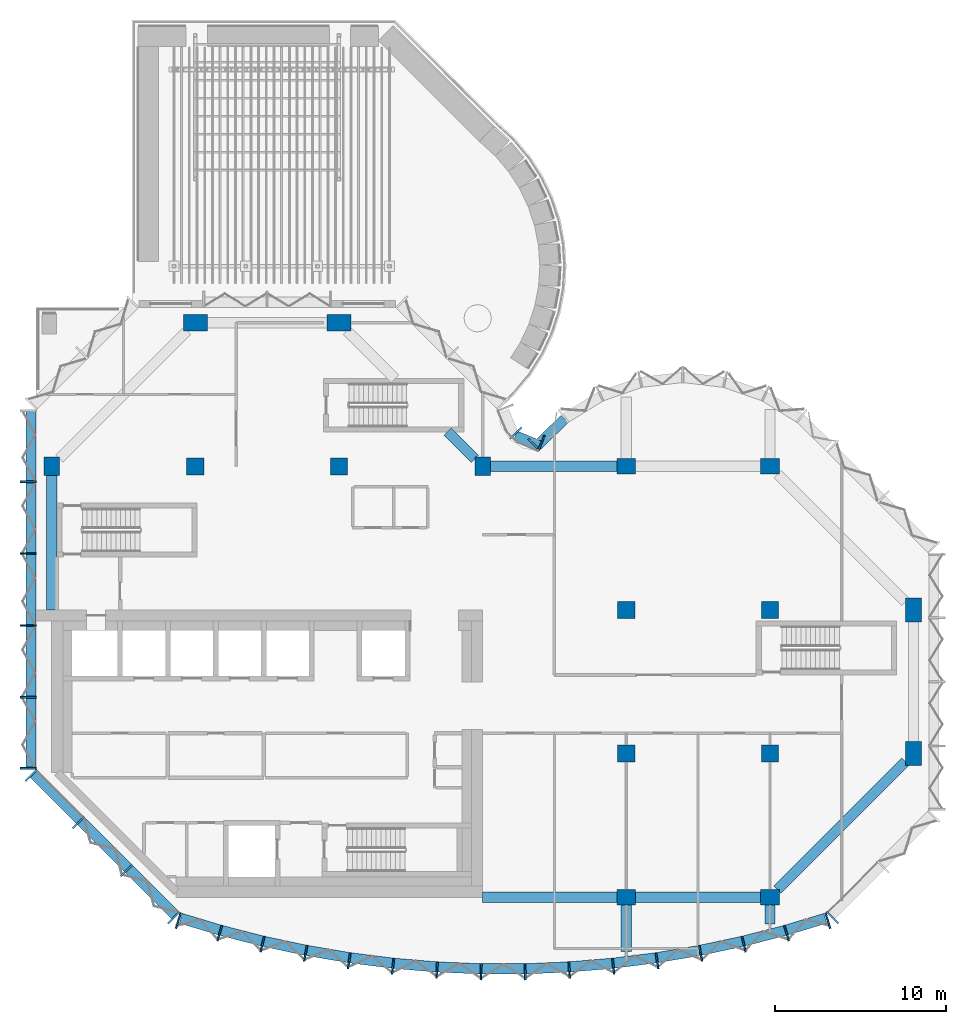
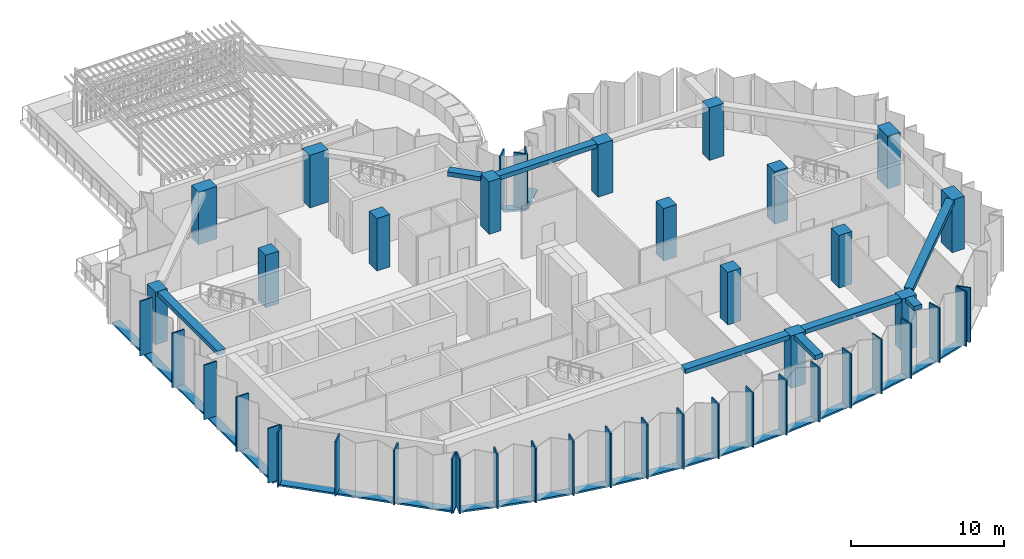
# One storey, part 1 of 15: 48 members, 16 columns, 8 beams, 6 elements without a shape of their own.
"""IFC4 building model written with IfcOpenShell, lengths in metres."""

from ifc_helpers import new_model, si_unit, direction, frame, origin, origin_2d, place, context, subcontext, project, spatial, rectangle, extrude, material, material_profile, profile_set, type_object, element, aggregate, save


model = new_model("IFC4")

# Units and contexts
model_context = context("Model", 3, precision=1e-05, world=origin(), true_north=direction((0.0, 1.0)))
body_context = subcontext(model_context, "Body", "Model", "MODEL_VIEW")
ifc_project = project(units=[si_unit("LENGTHUNIT", "METRE"), si_unit("AREAUNIT", "SQUARE_METRE"), si_unit("VOLUMEUNIT", "CUBIC_METRE"), si_unit("PLANEANGLEUNIT", "RADIAN"), si_unit("MASSUNIT", "GRAM", prefix="KILO")], contexts=[model_context])

# Site, building, storey
site_placement = place(None, origin())
site = spatial("IfcSite", under=ifc_project, at=site_placement, CompositionType="ELEMENT")
building_placement = place(site_placement, origin())
building = spatial("IfcBuilding", under=site, at=building_placement, Name="Brevane Broadcast Tower", CompositionType="ELEMENT")
storey_placement = place(building_placement, frame((0.0, 0.0, 206.39990234375)))
storey = spatial("IfcBuildingStorey", under=building, at=storey_placement, Name="L52", CompositionType="ELEMENT", Elevation=206.39990234375)

# Columns
ifc_material_1 = material(Name="Concrete C60/75", Category="concrete")
ifc_material_profile_1 = material_profile(ifc_material_1, rectangle(XDim=0.89990234375, YDim=1.10009765625, at=origin_2d()), Name="RC 900x1100")
ifc_profile_set_1 = profile_set([ifc_material_profile_1], Name="Concrete C60/75")
column_type_1 = type_object("IfcColumnType", Name="RC COLUMN EDGE 900x1100 C60/75", PredefinedType="COLUMN", material=ifc_profile_set_1)
for number, where, z_axis, x_axis, name in (
    (1, (0.0, 25.199951171875, 0.0), (0.0, 0.0, 1.0), (1.0, 0.0, 0.0), "CE11 1/D"),
    (2, (25.199951171875, 25.199951171875, 0.0), (0.0, 0.0, 1.0), (1.0, 0.0, 0.0), "CE11 4/D"),
    (3, (33.60009765625, 0.0, 0.0), (0.0, 0.0, 1.0), (0.0, 1.0, 0.0), "CE11 5/A"),
    (4, (33.60009765625, 25.199951171875, 0.0), (0.0, 0.0, 1.0), (0.0, 1.0, 0.0), "CE11 5/D"),
    (5, (42.0, 0.0, 0.0), (0.0, 0.0, 1.0), (0.0, 1.0, 0.0), "CE11 6/A"),
    (6, (42.0, 25.199951171875, 0.0), (0.0, 0.0, 1.0), (0.0, 1.0, 0.0), "CE11 6/D"),
):
    element("IfcColumn", number, at=place(storey_placement, frame(where, z_axis=z_axis, x_axis=x_axis)), inside=storey, type_object=column_type_1, Name=name, PredefinedType="COLUMN", context=body_context, shape_type="SweptSolid", body=[
        extrude(rectangle(XDim=0.89990234375, YDim=1.10009765625, at=origin_2d()), origin(), (0.0, 0.0, 1.0), 4.2001953125),
    ])
ifc_material_profile_2 = material_profile(ifc_material_1, rectangle(XDim=1.0, YDim=1.0, at=origin_2d()), Name="RC 1000x1000")
ifc_profile_set_2 = profile_set([ifc_material_profile_2], Name="Concrete C60/75")
column_type_2 = type_object("IfcColumnType", Name="RC COLUMN INTERIOR 1000x1000 C60/75", PredefinedType="COLUMN", material=ifc_profile_set_2)
for number, where, z_axis, x_axis, name in (
    (7, (8.39990234375, 25.199951171875, 0.0), (0.0, 0.0, 1.0), (1.0, 0.0, 0.0), "CI12 2/D"),
    (8, (16.800048828125, 25.199951171875, 0.0), (0.0, 0.0, 1.0), (1.0, 0.0, 0.0), "CI12 3/D"),
    (9, (33.60009765625, 8.39990234375, 0.0), (0.0, 0.0, 1.0), (1.0, 0.0, 0.0), "CI12 5/B"),
    (10, (33.60009765625, 16.800048828125, 0.0), (0.0, 0.0, 1.0), (1.0, 0.0, 0.0), "CI12 5/C"),
    (11, (42.0, 8.39990234375, 0.0), (0.0, 0.0, 1.0), (1.0, 0.0, 0.0), "CI12 6/B"),
    (12, (42.0, 16.800048828125, 0.0), (0.0, 0.0, 1.0), (1.0, 0.0, 0.0), "CI12 6/C"),
):
    element("IfcColumn", number, at=place(storey_placement, frame(where, z_axis=z_axis, x_axis=x_axis)), inside=storey, type_object=column_type_2, Name=name, PredefinedType="COLUMN", context=body_context, shape_type="SweptSolid", body=[
        extrude(rectangle(XDim=1.0, YDim=1.0, at=origin_2d()), origin(), (0.0, 0.0, 1.0), 4.2001953125),
    ])
ifc_material_profile_3 = material_profile(ifc_material_1, rectangle(XDim=0.949951171875, YDim=1.39990234375, at=origin_2d()), Name="RC 950x1400")
ifc_profile_set_3 = profile_set([ifc_material_profile_3], Name="Concrete C60/75")
column_type_3 = type_object("IfcColumnType", Name="RC COLUMN WING-END 950x1400 C60/75", PredefinedType="COLUMN", material=ifc_profile_set_3)
for number, where, z_axis, x_axis, name in (
    (13, (8.39990234375, 33.60009765625, 0.0), (0.0, 0.0, 1.0), (0.0, 1.0, 0.0), "CW13 2/E"),
    (14, (16.800048828125, 33.60009765625, 0.0), (0.0, 0.0, 1.0), (0.0, 1.0, 0.0), "CW13 3/E"),
    (15, (50.39990234375, 8.39990234375, 0.0), (0.0, 0.0, 1.0), (1.0, 0.0, 0.0), "CW13 7/B"),
    (16, (50.39990234375, 16.800048828125, 0.0), (0.0, 0.0, 1.0), (1.0, 0.0, 0.0), "CW13 7/C"),
):
    element("IfcColumn", number, at=place(storey_placement, frame(where, z_axis=z_axis, x_axis=x_axis)), inside=storey, type_object=column_type_3, Name=name, PredefinedType="COLUMN", context=body_context, shape_type="SweptSolid", body=[
        extrude(rectangle(XDim=0.949951171875, YDim=1.39990234375, at=origin_2d()), origin(), (0.0, 0.0, 1.0), 4.2001953125),
    ])

# Curtain wall, members
ifc_material_2 = material(Name="Aluminium 6063-T6 bronze anodised", Category="aluminium")
curtain_wall_type = type_object("IfcCurtainWallType", Name="CW-4 curtain wall", PredefinedType="NOTDEFINED", material=ifc_material_2)
curtain_wall_1_placement = place(storey_placement, origin())
curtain_wall_1 = element("IfcCurtainWall", 17, at=curtain_wall_1_placement, inside=storey, type_object=curtain_wall_type, Name="CW-4 sky lobby unit L52 south bow", PredefinedType="NOTDEFINED")
ifc_material_profile_4 = material_profile(ifc_material_2, rectangle(XDim=0.949951171875, YDim=0.10009765625, at=origin_2d()), Name="RECT 100x950")
ifc_profile_set_4 = profile_set([ifc_material_profile_4], Name="Aluminium 6063-T6 bronze anodised")
member_type_1 = type_object("IfcMemberType", Name="CW-4 mullion 100x950", PredefinedType="MULLION", material=ifc_profile_set_4)
member_1_placement = place(storey_placement, frame((7.41064453125, -1.369140625, -0.159912109375), z_axis=(0.0, 0.0, 1.0), x_axis=(0.288968122518, 0.957338719664, 0.0)))
member_1 = element("IfcMember", 18, at=member_1_placement, type_object=member_type_1, Name="CW-4 mullion", PredefinedType="MULLION", context=body_context, shape_type="SweptSolid", body=[
    extrude(rectangle(XDim=0.949951171875, YDim=0.10009765625, at=origin_2d()), origin(), (0.0, 0.0, 1.0), 4.360107421875),
])
member_2_placement = place(storey_placement, frame((9.824951171875, -2.097900390625, -0.159912109375), z_axis=(0.0, 0.0, 1.0), x_axis=(0.268915519935, 0.963163767559, 0.0)))
member_2 = element("IfcMember", 19, at=member_2_placement, type_object=member_type_1, Name="CW-4 mullion", PredefinedType="MULLION", context=body_context, shape_type="SweptSolid", body=[
    extrude(rectangle(XDim=0.949951171875, YDim=0.10009765625, at=origin_2d()), origin(), (0.0, 0.0, 1.0), 4.360107421875),
])
member_3_placement = place(storey_placement, frame((12.325439453125, -2.739990234375, -0.159912109375), z_axis=(0.0, 0.0, 1.0), x_axis=(0.228467410001, 0.97355156133, 0.0)))
member_3 = element("IfcMember", 20, at=member_3_placement, type_object=member_type_1, Name="CW-4 mullion", PredefinedType="MULLION", context=body_context, shape_type="SweptSolid", body=[
    extrude(rectangle(XDim=0.949951171875, YDim=0.10009765625, at=origin_2d()), origin(), (0.0, 0.0, 1.0), 4.360107421875),
])
member_4_placement = place(storey_placement, frame((14.8505859375, -3.277099609375, -0.159912109375), z_axis=(0.0, 0.0, 1.0), x_axis=(0.187620976959, 0.982241502384, 0.0)))
member_4 = element("IfcMember", 21, at=member_4_placement, type_object=member_type_1, Name="CW-4 mullion", PredefinedType="MULLION", context=body_context, shape_type="SweptSolid", body=[
    extrude(rectangle(XDim=0.949951171875, YDim=0.10009765625, at=origin_2d()), origin(), (0.0, 0.0, 1.0), 4.360107421875),
])
member_5_placement = place(storey_placement, frame((17.395751953125, -3.70849609375, -0.159912109375), z_axis=(0.0, 0.0, 1.0), x_axis=(0.146447392256, 0.989218459847, 0.0)))
member_5 = element("IfcMember", 22, at=member_5_placement, type_object=member_type_1, Name="CW-4 mullion", PredefinedType="MULLION", context=body_context, shape_type="SweptSolid", body=[
    extrude(rectangle(XDim=0.949951171875, YDim=0.10009765625, at=origin_2d()), origin(), (0.0, 0.0, 1.0), 4.360107421875),
])
member_6_placement = place(storey_placement, frame((19.95703125, -4.033203125, -0.159912109375), z_axis=(0.0, 0.0, 1.0), x_axis=(0.105018395305, 0.994470279419, 0.0)))
member_6 = element("IfcMember", 23, at=member_6_placement, type_object=member_type_1, Name="CW-4 mullion", PredefinedType="MULLION", context=body_context, shape_type="SweptSolid", body=[
    extrude(rectangle(XDim=0.949951171875, YDim=0.10009765625, at=origin_2d()), origin(), (0.0, 0.0, 1.0), 4.360107421875),
])
member_7_placement = place(storey_placement, frame((22.529296875, -4.250732421875, -0.159912109375), z_axis=(0.0, 0.0, 1.0), x_axis=(0.063406169479, 0.99798780437, 0.0)))
member_7 = element("IfcMember", 24, at=member_7_placement, type_object=member_type_1, Name="CW-4 mullion", PredefinedType="MULLION", context=body_context, shape_type="SweptSolid", body=[
    extrude(rectangle(XDim=0.949951171875, YDim=0.10009765625, at=origin_2d()), origin(), (0.0, 0.0, 1.0), 4.360107421875),
])
member_8_placement = place(storey_placement, frame((25.10888671875, -4.360595703125, -0.159912109375), z_axis=(0.0, 0.0, 1.0), x_axis=(0.021281828243, 0.999773516246, 0.0)))
member_8 = element("IfcMember", 25, at=member_8_placement, type_object=member_type_1, Name="CW-4 mullion", PredefinedType="MULLION", context=body_context, shape_type="SweptSolid", body=[
    extrude(rectangle(XDim=0.949951171875, YDim=0.10009765625, at=origin_2d()), origin(), (0.0, 0.0, 1.0), 4.360107421875),
])
member_9_placement = place(storey_placement, frame((27.691162109375, -4.360595703125, -0.159912109375), z_axis=(0.0, 0.0, 1.0), x_axis=(-0.021281828243, 0.999773516246, 0.0)))
member_9 = element("IfcMember", 26, at=member_9_placement, type_object=member_type_1, Name="CW-4 mullion", PredefinedType="MULLION", context=body_context, shape_type="SweptSolid", body=[
    extrude(rectangle(XDim=0.949951171875, YDim=0.10009765625, at=origin_2d()), origin(), (0.0, 0.0, 1.0), 4.360107421875),
])
member_10_placement = place(storey_placement, frame((30.2705078125, -4.250732421875, -0.159912109375), z_axis=(0.0, 0.0, 1.0), x_axis=(-0.063406169479, 0.99798780437, 0.0)))
member_10 = element("IfcMember", 27, at=member_10_placement, type_object=member_type_1, Name="CW-4 mullion", PredefinedType="MULLION", context=body_context, shape_type="SweptSolid", body=[
    extrude(rectangle(XDim=0.949951171875, YDim=0.10009765625, at=origin_2d()), origin(), (0.0, 0.0, 1.0), 4.360107421875),
])
member_11_placement = place(storey_placement, frame((32.843017578125, -4.033203125, -0.159912109375), z_axis=(0.0, 0.0, 1.0), x_axis=(-0.105018395305, 0.994470279419, 0.0)))
member_11 = element("IfcMember", 28, at=member_11_placement, type_object=member_type_1, Name="CW-4 mullion", PredefinedType="MULLION", context=body_context, shape_type="SweptSolid", body=[
    extrude(rectangle(XDim=0.949951171875, YDim=0.10009765625, at=origin_2d()), origin(), (0.0, 0.0, 1.0), 4.360107421875),
])
member_12_placement = place(storey_placement, frame((35.404296875, -3.70849609375, -0.159912109375), z_axis=(0.0, 0.0, 1.0), x_axis=(-0.146447392256, 0.989218459847, 0.0)))
member_12 = element("IfcMember", 29, at=member_12_placement, type_object=member_type_1, Name="CW-4 mullion", PredefinedType="MULLION", context=body_context, shape_type="SweptSolid", body=[
    extrude(rectangle(XDim=0.949951171875, YDim=0.10009765625, at=origin_2d()), origin(), (0.0, 0.0, 1.0), 4.360107421875),
])
member_13_placement = place(storey_placement, frame((37.949462890625, -3.277099609375, -0.159912109375), z_axis=(0.0, 0.0, 1.0), x_axis=(-0.187620976959, 0.982241502384, 0.0)))
member_13 = element("IfcMember", 30, at=member_13_placement, type_object=member_type_1, Name="CW-4 mullion", PredefinedType="MULLION", context=body_context, shape_type="SweptSolid", body=[
    extrude(rectangle(XDim=0.949951171875, YDim=0.10009765625, at=origin_2d()), origin(), (0.0, 0.0, 1.0), 4.360107421875),
])
member_14_placement = place(storey_placement, frame((40.474609375, -2.739990234375, -0.159912109375), z_axis=(0.0, 0.0, 1.0), x_axis=(-0.228467410001, 0.97355156133, 0.0)))
member_14 = element("IfcMember", 31, at=member_14_placement, type_object=member_type_1, Name="CW-4 mullion", PredefinedType="MULLION", context=body_context, shape_type="SweptSolid", body=[
    extrude(rectangle(XDim=0.949951171875, YDim=0.10009765625, at=origin_2d()), origin(), (0.0, 0.0, 1.0), 4.360107421875),
])
member_15_placement = place(storey_placement, frame((42.97509765625, -2.097900390625, -0.159912109375), z_axis=(0.0, 0.0, 1.0), x_axis=(-0.268915519935, 0.963163767559, 0.0)))
member_15 = element("IfcMember", 32, at=member_15_placement, type_object=member_type_1, Name="CW-4 mullion", PredefinedType="MULLION", context=body_context, shape_type="SweptSolid", body=[
    extrude(rectangle(XDim=0.949951171875, YDim=0.10009765625, at=origin_2d()), origin(), (0.0, 0.0, 1.0), 4.360107421875),
])
member_16_placement = place(storey_placement, frame((45.389404296875, -1.369140625, -0.159912109375), z_axis=(0.0, 0.0, 1.0), x_axis=(-0.288968122518, 0.957338719664, 0.0)))
member_16 = element("IfcMember", 33, at=member_16_placement, type_object=member_type_1, Name="CW-4 mullion", PredefinedType="MULLION", context=body_context, shape_type="SweptSolid", body=[
    extrude(rectangle(XDim=0.949951171875, YDim=0.10009765625, at=origin_2d()), origin(), (0.0, 0.0, 1.0), 4.360107421875),
])

# Curtain wall, member
curtain_wall_2_placement = place(storey_placement, origin())
curtain_wall_2 = element("IfcCurtainWall", 34, at=curtain_wall_2_placement, inside=storey, type_object=curtain_wall_type, Name="CW-4 sky lobby unit L52 south-east chamfer", PredefinedType="NOTDEFINED")
member_17_placement = place(storey_placement, frame((45.671142578125, -1.200439453125, -0.159912109375), z_axis=(0.0, 0.0, 1.0), x_axis=(-0.707106781187, 0.707106781187, 0.0)))
member_17 = element("IfcMember", 35, at=member_17_placement, type_object=member_type_1, Name="CW-4 mullion", PredefinedType="MULLION", context=body_context, shape_type="SweptSolid", body=[
    extrude(rectangle(XDim=0.949951171875, YDim=0.10009765625, at=origin_2d()), origin(), (0.0, 0.0, 1.0), 4.360107421875),
])
aggregate(curtain_wall_2, [member_17])

curtain_wall_3_placement = place(storey_placement, origin())
curtain_wall_3 = element("IfcCurtainWall", 36, at=curtain_wall_3_placement, inside=storey, type_object=curtain_wall_type, Name="CW-4 sky lobby unit L52 east bow", PredefinedType="NOTDEFINED")
member_18_placement = place(storey_placement, frame((28.204833984375, 26.4755859375, -0.159912109375), z_axis=(0.0, 0.0, 1.0), x_axis=(0.696812089895, -0.717253728729, 0.0)))
member_18 = element("IfcMember", 37, at=member_18_placement, type_object=member_type_1, Name="CW-4 mullion", PredefinedType="MULLION", context=body_context, shape_type="SweptSolid", body=[
    extrude(rectangle(XDim=0.949951171875, YDim=0.10009765625, at=origin_2d()), origin(), (0.0, 0.0, 1.0), 4.360107421875),
])

# Curtain wall, members
curtain_wall_4_placement = place(storey_placement, origin())
curtain_wall_4 = element("IfcCurtainWall", 38, at=curtain_wall_4_placement, inside=storey, type_object=curtain_wall_type, Name="CW-4 sky lobby unit L52 inner corner", PredefinedType="NOTDEFINED")
member_19_placement = place(storey_placement, frame((28.635498046875, 26.557861328125, -0.159912109375), z_axis=(0.0, 0.0, 1.0), x_axis=(-0.382683432365, -0.923879532511, 0.0)))
member_19 = element("IfcMember", 39, at=member_19_placement, type_object=member_type_1, Name="CW-4 mullion", PredefinedType="MULLION", context=body_context, shape_type="SweptSolid", body=[
    extrude(rectangle(XDim=0.949951171875, YDim=0.10009765625, at=origin_2d()), origin(), (0.0, 0.0, 1.0), 4.360107421875),
])
member_20_placement = place(storey_placement, frame((27.138916015625, 27.138916015625, -0.159912109375), z_axis=(0.0, 0.0, 1.0), x_axis=(-0.707106781187, -0.707106781187, 0.0)))
member_20 = element("IfcMember", 40, at=member_20_placement, type_object=member_type_1, Name="CW-4 mullion", PredefinedType="MULLION", context=body_context, shape_type="SweptSolid", body=[
    extrude(rectangle(XDim=0.949951171875, YDim=0.10009765625, at=origin_2d()), origin(), (0.0, 0.0, 1.0), 4.360107421875),
])

curtain_wall_5_placement = place(storey_placement, origin())
curtain_wall_5 = element("IfcCurtainWall", 41, at=curtain_wall_5_placement, inside=storey, type_object=curtain_wall_type, Name="CW-4 sky lobby unit L52 west face", PredefinedType="NOTDEFINED")
member_21_placement = place(storey_placement, frame((-1.375, 24.300048828125, -0.159912109375), z_axis=(0.0, 0.0, 1.0), x_axis=(1.0, 0.0, 0.0)))
member_21 = element("IfcMember", 42, at=member_21_placement, type_object=member_type_1, Name="CW-4 mullion", PredefinedType="MULLION", context=body_context, shape_type="SweptSolid", body=[
    extrude(rectangle(XDim=0.949951171875, YDim=0.10009765625, at=origin_2d()), origin(), (0.0, 0.0, 1.0), 4.360107421875),
])
member_22_placement = place(storey_placement, frame((-1.375, 20.10009765625, -0.159912109375), z_axis=(0.0, 0.0, 1.0), x_axis=(1.0, 0.0, 0.0)))
member_22 = element("IfcMember", 43, at=member_22_placement, type_object=member_type_1, Name="CW-4 mullion", PredefinedType="MULLION", context=body_context, shape_type="SweptSolid", body=[
    extrude(rectangle(XDim=0.949951171875, YDim=0.10009765625, at=origin_2d()), origin(), (0.0, 0.0, 1.0), 4.360107421875),
])
member_23_placement = place(storey_placement, frame((-1.375, 15.89990234375, -0.159912109375), z_axis=(0.0, 0.0, 1.0), x_axis=(1.0, 0.0, 0.0)))
member_23 = element("IfcMember", 44, at=member_23_placement, type_object=member_type_1, Name="CW-4 mullion", PredefinedType="MULLION", context=body_context, shape_type="SweptSolid", body=[
    extrude(rectangle(XDim=0.949951171875, YDim=0.10009765625, at=origin_2d()), origin(), (0.0, 0.0, 1.0), 4.360107421875),
])
member_24_placement = place(storey_placement, frame((-1.375, 11.699951171875, -0.159912109375), z_axis=(0.0, 0.0, 1.0), x_axis=(1.0, 0.0, 0.0)))
member_24 = element("IfcMember", 45, at=member_24_placement, type_object=member_type_1, Name="CW-4 mullion", PredefinedType="MULLION", context=body_context, shape_type="SweptSolid", body=[
    extrude(rectangle(XDim=0.949951171875, YDim=0.10009765625, at=origin_2d()), origin(), (0.0, 0.0, 1.0), 4.360107421875),
])
member_25_placement = place(storey_placement, frame((-1.375, 7.550048828125, -0.159912109375), z_axis=(0.0, 0.0, 1.0), x_axis=(1.0, 0.0, 0.0)))
member_25 = element("IfcMember", 46, at=member_25_placement, type_object=member_type_1, Name="CW-4 mullion", PredefinedType="MULLION", context=body_context, shape_type="SweptSolid", body=[
    extrude(rectangle(XDim=0.949951171875, YDim=0.10009765625, at=origin_2d()), origin(), (0.0, 0.0, 1.0), 4.360107421875),
])

curtain_wall_6_placement = place(storey_placement, origin())
curtain_wall_6 = element("IfcCurtainWall", 47, at=curtain_wall_6_placement, inside=storey, type_object=curtain_wall_type, Name="CW-4 sky lobby unit L52 south-west chamfer", PredefinedType="NOTDEFINED")
member_26_placement = place(storey_placement, frame((-1.200439453125, 7.128662109375, -0.159912109375), z_axis=(0.0, 0.0, 1.0), x_axis=(0.707106781187, 0.707106781187, 0.0)))
member_26 = element("IfcMember", 48, at=member_26_placement, type_object=member_type_1, Name="CW-4 mullion", PredefinedType="MULLION", context=body_context, shape_type="SweptSolid", body=[
    extrude(rectangle(XDim=0.949951171875, YDim=0.10009765625, at=origin_2d()), origin(), (0.0, 0.0, 1.0), 4.360107421875),
])
member_27_placement = place(storey_placement, frame((1.564208984375, 4.364013671875, -0.159912109375), z_axis=(0.0, 0.0, 1.0), x_axis=(0.707106781187, 0.707106781187, 0.0)))
member_27 = element("IfcMember", 49, at=member_27_placement, type_object=member_type_1, Name="CW-4 mullion", PredefinedType="MULLION", context=body_context, shape_type="SweptSolid", body=[
    extrude(rectangle(XDim=0.949951171875, YDim=0.10009765625, at=origin_2d()), origin(), (0.0, 0.0, 1.0), 4.360107421875),
])
member_28_placement = place(storey_placement, frame((4.364013671875, 1.564208984375, -0.159912109375), z_axis=(0.0, 0.0, 1.0), x_axis=(0.707106781187, 0.707106781187, 0.0)))
member_28 = element("IfcMember", 50, at=member_28_placement, type_object=member_type_1, Name="CW-4 mullion", PredefinedType="MULLION", context=body_context, shape_type="SweptSolid", body=[
    extrude(rectangle(XDim=0.949951171875, YDim=0.10009765625, at=origin_2d()), origin(), (0.0, 0.0, 1.0), 4.360107421875),
])
member_29_placement = place(storey_placement, frame((7.128662109375, -1.200439453125, -0.159912109375), z_axis=(0.0, 0.0, 1.0), x_axis=(0.707106781187, 0.707106781187, 0.0)))
member_29 = element("IfcMember", 51, at=member_29_placement, type_object=member_type_1, Name="CW-4 mullion", PredefinedType="MULLION", context=body_context, shape_type="SweptSolid", body=[
    extrude(rectangle(XDim=0.949951171875, YDim=0.10009765625, at=origin_2d()), origin(), (0.0, 0.0, 1.0), 4.360107421875),
])

# Member
ifc_material_profile_5 = material_profile(ifc_material_2, rectangle(XDim=0.60009765625, YDim=0.139892578125, at=origin_2d()), Name="RECT 140x600")
ifc_profile_set_5 = profile_set([ifc_material_profile_5], Name="Aluminium 6063-T6 bronze anodised")
member_type_2 = type_object("IfcMemberType", Name="CW-4 transom 140x600", PredefinedType="USERDEFINED", material=ifc_profile_set_5)
member_30_placement = place(storey_placement, frame((7.553955078125, -1.229736328125, -0.22998046875), z_axis=(0.957362578524, -0.288889067362, 0.0), x_axis=(0.288889067362, 0.957362578524, 0.0)))
member_30 = element("IfcMember", 52, at=member_30_placement, type_object=member_type_2, Name="CW-4 transom", ObjectType="TRANSOM", PredefinedType="USERDEFINED", context=body_context, shape_type="SweptSolid", body=[
    extrude(rectangle(XDim=0.60009765625, YDim=0.139892578125, at=origin_2d()), origin(), (0.0, 0.0, 1.0), 2.411865234375),
])

member_31_placement = place(storey_placement, frame((9.8759765625, -1.930419921875, -0.22998046875), z_axis=(0.968569727699, -0.248742201052, 0.0), x_axis=(0.248742201052, 0.968569727699, 0.0)))
member_31 = element("IfcMember", 53, at=member_31_placement, type_object=member_type_2, Name="CW-4 transom", ObjectType="TRANSOM", PredefinedType="USERDEFINED", context=body_context, shape_type="SweptSolid", body=[
    extrude(rectangle(XDim=0.60009765625, YDim=0.139892578125, at=origin_2d()), origin(), (0.0, 0.0, 1.0), 2.561767578125),
])

member_32_placement = place(storey_placement, frame((12.370361328125, -2.57080078125, -0.22998046875), z_axis=(0.978117897278, -0.208051385536, 0.0), x_axis=(0.208051385536, 0.978117897278, 0.0)))
member_32 = element("IfcMember", 54, at=member_32_placement, type_object=member_type_2, Name="CW-4 transom", ObjectType="TRANSOM", PredefinedType="USERDEFINED", context=body_context, shape_type="SweptSolid", body=[
    extrude(rectangle(XDim=0.60009765625, YDim=0.139892578125, at=origin_2d()), origin(), (0.0, 0.0, 1.0), 2.561767578125),
])

member_33_placement = place(storey_placement, frame((14.88916015625, -3.1064453125, -0.22998046875), z_axis=(0.985947338221, -0.167056416383, 0.0), x_axis=(0.167056416383, 0.985947338221, 0.0)))
member_33 = element("IfcMember", 55, at=member_33_placement, type_object=member_type_2, Name="CW-4 transom", ObjectType="TRANSOM", PredefinedType="USERDEFINED", context=body_context, shape_type="SweptSolid", body=[
    extrude(rectangle(XDim=0.60009765625, YDim=0.139892578125, at=origin_2d()), origin(), (0.0, 0.0, 1.0), 2.561767578125),
])

member_34_placement = place(storey_placement, frame((17.428466796875, -3.536376953125, -0.22998046875), z_axis=(0.99206678005, -0.12571198798, 0.0), x_axis=(0.12571198798, 0.99206678005, 0.0)))
member_34 = element("IfcMember", 56, at=member_34_placement, type_object=member_type_2, Name="CW-4 transom", ObjectType="TRANSOM", PredefinedType="USERDEFINED", context=body_context, shape_type="SweptSolid", body=[
    extrude(rectangle(XDim=0.60009765625, YDim=0.139892578125, at=origin_2d()), origin(), (0.0, 0.0, 1.0), 2.5615234375),
])

member_35_placement = place(storey_placement, frame((19.983154296875, -3.85986328125, -0.22998046875), z_axis=(0.99644513768, -0.084244214012, 0.0), x_axis=(0.084244214012, 0.99644513768, 0.0)))
member_35 = element("IfcMember", 57, at=member_35_placement, type_object=member_type_2, Name="CW-4 transom", ObjectType="TRANSOM", PredefinedType="USERDEFINED", context=body_context, shape_type="SweptSolid", body=[
    extrude(rectangle(XDim=0.60009765625, YDim=0.139892578125, at=origin_2d()), origin(), (0.0, 0.0, 1.0), 2.561767578125),
])

member_36_placement = place(storey_placement, frame((22.54931640625, -4.076416015625, -0.22998046875), z_axis=(0.999092306129, -0.042597697524, 0.0), x_axis=(0.042597697524, 0.999092306129, 0.0)))
member_36 = element("IfcMember", 58, at=member_36_placement, type_object=member_type_2, Name="CW-4 transom", ObjectType="TRANSOM", PredefinedType="USERDEFINED", context=body_context, shape_type="SweptSolid", body=[
    extrude(rectangle(XDim=0.60009765625, YDim=0.139892578125, at=origin_2d()), origin(), (0.0, 0.0, 1.0), 2.56201171875),
])

member_37_placement = place(storey_placement, frame((25.122314453125, -4.185546875, -0.22998046875), z_axis=(1.0, 0.0, 0.0), x_axis=(0.0, 1.0, 0.0)))
member_37 = element("IfcMember", 59, at=member_37_placement, type_object=member_type_2, Name="CW-4 transom", ObjectType="TRANSOM", PredefinedType="USERDEFINED", context=body_context, shape_type="SweptSolid", body=[
    extrude(rectangle(XDim=0.60009765625, YDim=0.139892578125, at=origin_2d()), origin(), (0.0, 0.0, 1.0), 2.56201171875),
])

member_38_placement = place(storey_placement, frame((27.691162109375, -4.185546875, -0.22998046875), z_axis=(0.999092133182, 0.042601753652, 0.0), x_axis=(-0.042601753652, 0.999092133182, 0.0)))
member_38 = element("IfcMember", 60, at=member_38_placement, type_object=member_type_2, Name="CW-4 transom", ObjectType="TRANSOM", PredefinedType="USERDEFINED", context=body_context, shape_type="SweptSolid", body=[
    extrude(rectangle(XDim=0.60009765625, YDim=0.139892578125, at=origin_2d()), origin(), (0.0, 0.0, 1.0), 2.561767578125),
])

member_39_placement = place(storey_placement, frame((30.26416015625, -4.07568359375, -0.22998046875), z_axis=(0.99644513768, 0.084244214012, 0.0), x_axis=(-0.084244214012, 0.99644513768, 0.0)))
member_39 = element("IfcMember", 61, at=member_39_placement, type_object=member_type_2, Name="CW-4 transom", ObjectType="TRANSOM", PredefinedType="USERDEFINED", context=body_context, shape_type="SweptSolid", body=[
    extrude(rectangle(XDim=0.60009765625, YDim=0.139892578125, at=origin_2d()), origin(), (0.0, 0.0, 1.0), 2.561767578125),
])

member_40_placement = place(storey_placement, frame((32.830322265625, -3.8583984375, -0.22998046875), z_axis=(0.99206678005, 0.12571198798, 0.0), x_axis=(-0.12571198798, 0.99206678005, 0.0)))
member_40 = element("IfcMember", 62, at=member_40_placement, type_object=member_type_2, Name="CW-4 transom", ObjectType="TRANSOM", PredefinedType="USERDEFINED", context=body_context, shape_type="SweptSolid", body=[
    extrude(rectangle(XDim=0.60009765625, YDim=0.139892578125, at=origin_2d()), origin(), (0.0, 0.0, 1.0), 2.5615234375),
])

member_41_placement = place(storey_placement, frame((35.385009765625, -3.534423828125, -0.22998046875), z_axis=(0.9859446783, 0.167072114167, 0.0), x_axis=(-0.167072114167, 0.9859446783, 0.0)))
member_41 = element("IfcMember", 63, at=member_41_placement, type_object=member_type_2, Name="CW-4 transom", ObjectType="TRANSOM", PredefinedType="USERDEFINED", context=body_context, shape_type="SweptSolid", body=[
    extrude(rectangle(XDim=0.60009765625, YDim=0.139892578125, at=origin_2d()), origin(), (0.0, 0.0, 1.0), 2.5615234375),
])

member_42_placement = place(storey_placement, frame((37.924072265625, -3.103759765625, -0.22998046875), z_axis=(0.978117897278, 0.208051385536, 0.0), x_axis=(-0.208051385536, 0.978117897278, 0.0)))
member_42 = element("IfcMember", 64, at=member_42_placement, type_object=member_type_2, Name="CW-4 transom", ObjectType="TRANSOM", PredefinedType="USERDEFINED", context=body_context, shape_type="SweptSolid", body=[
    extrude(rectangle(XDim=0.60009765625, YDim=0.139892578125, at=origin_2d()), origin(), (0.0, 0.0, 1.0), 2.561767578125),
])

member_43_placement = place(storey_placement, frame((40.44287109375, -2.567626953125, -0.22998046875), z_axis=(0.968569727699, 0.248742201052, 0.0), x_axis=(-0.248742201052, 0.968569727699, 0.0)))
member_43 = element("IfcMember", 65, at=member_43_placement, type_object=member_type_2, Name="CW-4 transom", ObjectType="TRANSOM", PredefinedType="USERDEFINED", context=body_context, shape_type="SweptSolid", body=[
    extrude(rectangle(XDim=0.60009765625, YDim=0.139892578125, at=origin_2d()), origin(), (0.0, 0.0, 1.0), 2.561767578125),
])

member_44_placement = place(storey_placement, frame((42.93701171875, -1.926513671875, -0.22998046875), z_axis=(0.957362578524, 0.288889067362, 0.0), x_axis=(-0.288889067362, 0.957362578524, 0.0)))
member_44 = element("IfcMember", 66, at=member_44_placement, type_object=member_type_2, Name="CW-4 transom", ObjectType="TRANSOM", PredefinedType="USERDEFINED", context=body_context, shape_type="SweptSolid", body=[
    extrude(rectangle(XDim=0.60009765625, YDim=0.139892578125, at=origin_2d()), origin(), (0.0, 0.0, 1.0), 2.411865234375),
])

aggregate(curtain_wall_1, [member_1, member_2, member_3, member_4, member_5, member_6, member_7, member_8, member_9, member_10, member_11, member_12, member_13, member_14, member_15, member_16, member_30, member_31, member_32, member_33, member_34, member_35, member_36, member_37, member_38, member_39, member_40, member_41, member_42, member_43, member_44])

member_45_placement = place(storey_placement, frame((29.99951171875, 27.974365234375, -0.22998046875), z_axis=(-0.71724215871, -0.696823999134, 0.0), x_axis=(0.696823999134, -0.71724215871, 0.0)))
member_45 = element("IfcMember", 67, at=member_45_placement, type_object=member_type_2, Name="CW-4 transom", ObjectType="TRANSOM", PredefinedType="USERDEFINED", context=body_context, shape_type="SweptSolid", body=[
    extrude(rectangle(XDim=0.60009765625, YDim=0.139892578125, at=origin_2d()), origin(), (0.0, 0.0, 1.0), 2.247802734375),
])

aggregate(curtain_wall_3, [member_18, member_45])

member_46_placement = place(storey_placement, frame((28.528076171875, 26.40673828125, -0.22998046875), z_axis=(-0.923883243627, 0.382674472816, 0.0), x_axis=(-0.382674472816, -0.923883243627, 0.0)))
member_46 = element("IfcMember", 68, at=member_46_placement, type_object=member_type_2, Name="CW-4 transom", ObjectType="TRANSOM", PredefinedType="USERDEFINED", context=body_context, shape_type="SweptSolid", body=[
    extrude(rectangle(XDim=0.60009765625, YDim=0.139892578125, at=origin_2d()), origin(), (0.0, 0.0, 1.0), 1.536865234375),
])

aggregate(curtain_wall_4, [member_19, member_20, member_46])

member_47_placement = place(storey_placement, frame((-1.199951171875, 28.5, -0.22998046875), z_axis=(0.0, -1.0, 0.0), x_axis=(1.0, 0.0, 0.0)))
member_47 = element("IfcMember", 69, at=member_47_placement, type_object=member_type_2, Name="CW-4 transom", ObjectType="TRANSOM", PredefinedType="USERDEFINED", context=body_context, shape_type="SweptSolid", body=[
    extrude(rectangle(XDim=0.60009765625, YDim=0.139892578125, at=origin_2d()), origin(), (0.0, 0.0, 1.0), 21.0),
])

aggregate(curtain_wall_5, [member_21, member_22, member_23, member_24, member_25, member_47])

member_48_placement = place(storey_placement, frame((-1.112060546875, 7.287841796875, -0.22998046875), z_axis=(0.707106781187, -0.707106781187, 0.0), x_axis=(0.707106781187, 0.707106781187, 0.0)))
member_48 = element("IfcMember", 70, at=member_48_placement, type_object=member_type_2, Name="CW-4 transom", ObjectType="TRANSOM", PredefinedType="USERDEFINED", context=body_context, shape_type="SweptSolid", body=[
    extrude(rectangle(XDim=0.60009765625, YDim=0.139892578125, at=origin_2d()), origin(), (0.0, 0.0, 1.0), 11.879150390625),
])

aggregate(curtain_wall_6, [member_26, member_27, member_28, member_29, member_48])

# Beams
ifc_material_3 = material(Name="Concrete C40/50", Category="concrete")
ifc_material_profile_6 = material_profile(ifc_material_3, rectangle(XDim=0.60009765625, YDim=0.35009765625, at=origin_2d()), Name="RC 600x350")
ifc_profile_set_6 = profile_set([ifc_material_profile_6], Name="Concrete C40/50")
beam_type_1 = type_object("IfcBeamType", Name="RC BRACKET BEAM 600x350 C40/50", PredefinedType="BEAM", material=ifc_profile_set_6)
beam_1_placement = place(storey_placement, frame((33.60009765625, -0.449951171875, 4.025146484375), z_axis=(0.0, -1.0, 0.0), x_axis=(1.0, 0.0, 0.0)))
element("IfcBeam", 71, at=beam_1_placement, inside=storey, type_object=beam_type_1, Name="EB2 L52-1", PredefinedType="BEAM", context=body_context, shape_type="SweptSolid", body=[
    extrude(rectangle(XDim=0.60009765625, YDim=0.35009765625, at=origin_2d()), origin(), (0.0, 0.0, 1.0), 2.720947265625),
])
beam_2_placement = place(storey_placement, frame((42.0, -0.449951171875, 4.025146484375), z_axis=(0.0, -1.0, 0.0), x_axis=(1.0, 0.0, 0.0)))
element("IfcBeam", 72, at=beam_2_placement, inside=storey, type_object=beam_type_1, Name="EB2 L52-3", PredefinedType="BEAM", context=body_context, shape_type="SweptSolid", body=[
    extrude(rectangle(XDim=0.60009765625, YDim=0.35009765625, at=origin_2d()), origin(), (0.0, 0.0, 1.0), 1.118896484375),
])
ifc_material_profile_7 = material_profile(ifc_material_3, rectangle(XDim=0.60009765625, YDim=0.35009765625, at=origin_2d()), Name="RC 600x350")
ifc_profile_set_7 = profile_set([ifc_material_profile_7], Name="Concrete C40/50")
beam_type_2 = type_object("IfcBeamType", Name="RC SPANDREL BEAM 600x350 C40/50", PredefinedType="SPANDREL", material=ifc_profile_set_7)
beam_3_placement = place(storey_placement, frame((25.199951171875, 0.0, 4.025146484375), z_axis=(1.0, 0.0, 0.0), x_axis=(0.0, 1.0, 0.0)))
element("IfcBeam", 73, at=beam_3_placement, inside=storey, type_object=beam_type_2, Name="EB1 L52-1", PredefinedType="SPANDREL", context=body_context, shape_type="SweptSolid", body=[
    extrude(rectangle(XDim=0.60009765625, YDim=0.35009765625, at=origin_2d()), origin(), (0.0, 0.0, 1.0), 7.85009765625),
])
beam_4_placement = place(storey_placement, frame((34.14990234375, 0.0, 4.025146484375), z_axis=(1.0, 0.0, 0.0), x_axis=(0.0, 1.0, 0.0)))
element("IfcBeam", 74, at=beam_4_placement, inside=storey, type_object=beam_type_2, Name="EB1 L52-2", PredefinedType="SPANDREL", context=body_context, shape_type="SweptSolid", body=[
    extrude(rectangle(XDim=0.60009765625, YDim=0.35009765625, at=origin_2d()), origin(), (0.0, 0.0, 1.0), 7.300048828125),
])
beam_5_placement = place(storey_placement, frame((42.449951171875, 0.449951171875, 4.025146484375), z_axis=(0.707106781187, 0.707106781187, 0.0), x_axis=(-0.707106781187, 0.707106781187, 0.0)))
element("IfcBeam", 75, at=beam_5_placement, inside=storey, type_object=beam_type_2, Name="EB1 L52-3", PredefinedType="SPANDREL", context=body_context, shape_type="SweptSolid", body=[
    extrude(rectangle(XDim=0.60009765625, YDim=0.35009765625, at=origin_2d()), origin(), (0.0, 0.0, 1.0), 10.5712890625),
])
beam_6_placement = place(storey_placement, frame((33.050048828125, 25.199951171875, 4.025146484375), z_axis=(-1.0, 0.0, 0.0), x_axis=(0.0, -1.0, 0.0)))
element("IfcBeam", 76, at=beam_6_placement, inside=storey, type_object=beam_type_2, Name="EB1 L52-7", PredefinedType="SPANDREL", context=body_context, shape_type="SweptSolid", body=[
    extrude(rectangle(XDim=0.60009765625, YDim=0.35009765625, at=origin_2d()), origin(), (0.0, 0.0, 1.0), 7.400146484375),
])
beam_7_placement = place(storey_placement, frame((24.75, 25.64990234375, 4.025146484375), z_axis=(-0.707106781187, 0.707106781187, 0.0), x_axis=(-0.707106781187, -0.707106781187, 0.0)))
element("IfcBeam", 77, at=beam_7_placement, inside=storey, type_object=beam_type_2, Name="EB1 L52-8", PredefinedType="SPANDREL", context=body_context, shape_type="SweptSolid", body=[
    extrude(rectangle(XDim=0.60009765625, YDim=0.35009765625, at=origin_2d()), origin(), (0.0, 0.0, 1.0), 2.234619140625),
])
beam_8_placement = place(storey_placement, frame((0.0, 24.64990234375, 4.025146484375), z_axis=(0.0, -1.0, 0.0), x_axis=(1.0, 0.0, 0.0)))
element("IfcBeam", 78, at=beam_8_placement, inside=storey, type_object=beam_type_2, Name="EB1 L52-11", PredefinedType="SPANDREL", context=body_context, shape_type="SweptSolid", body=[
    extrude(rectangle(XDim=0.60009765625, YDim=0.35009765625, at=origin_2d()), origin(), (0.0, 0.0, 1.0), 7.849853515625),
])

save(model, "model.ifc")
